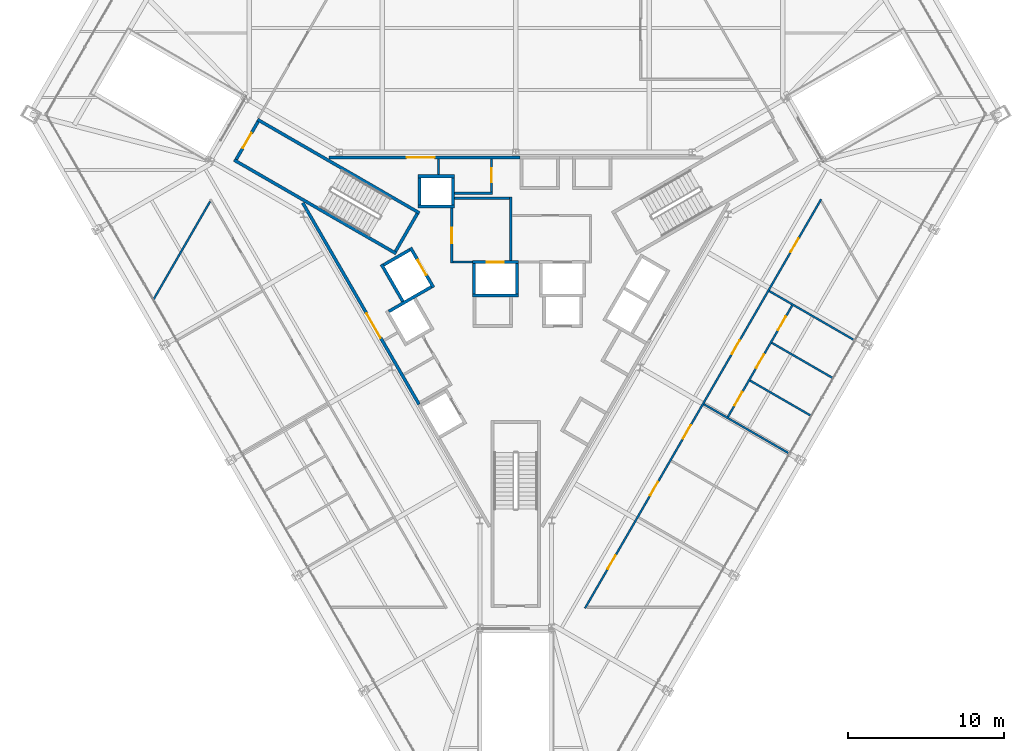
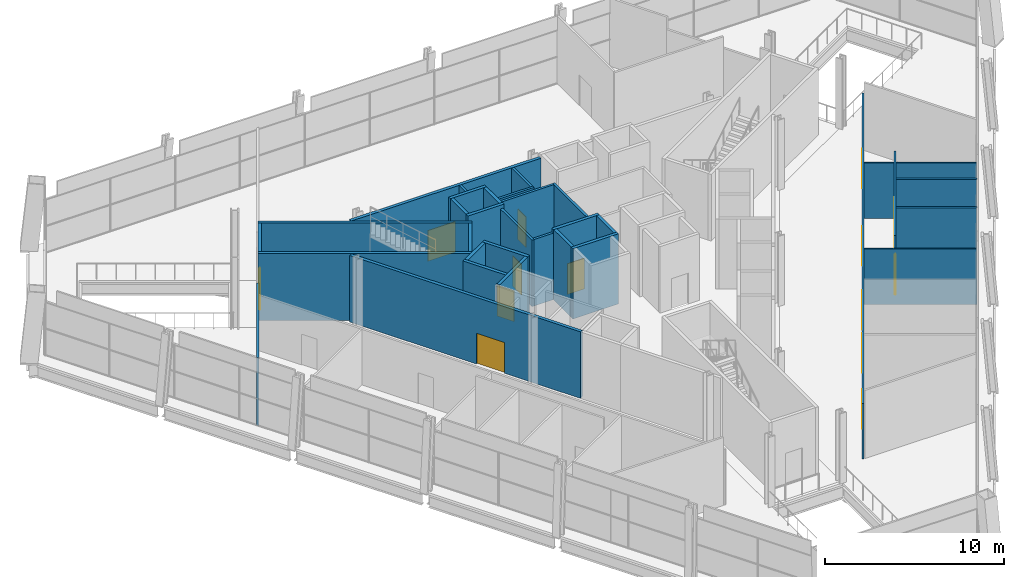
# One storey, part 14 of 18: 32 walls, 15 doors, 15 openings.
"""IFC4 building model written with IfcOpenShell, lengths in metres."""

from ifc_helpers import new_model, si_unit, direction, frame, frame_2d, origin, place, context, subcontext, project, spatial, rectangle, extrude, material, layer, layer_set, type_object, element, fill, save


model = new_model("IFC4")

# Units and contexts
model_context = context("Model", 3, precision=1e-05, world=origin(), true_north=direction((0.0, 1.0)))
body_context = subcontext(model_context, "Body", "Model", "MODEL_VIEW")
ifc_project = project(units=[si_unit("LENGTHUNIT", "METRE"), si_unit("AREAUNIT", "SQUARE_METRE"), si_unit("VOLUMEUNIT", "CUBIC_METRE"), si_unit("PLANEANGLEUNIT", "RADIAN"), si_unit("MASSUNIT", "GRAM", prefix="KILO")], contexts=[model_context])

# Site, building, storey
site_placement = place(None, origin())
site = spatial("IfcSite", under=ifc_project, at=site_placement, CompositionType="ELEMENT")
building_placement = place(site_placement, origin())
building = spatial("IfcBuilding", under=site, at=building_placement, Name="Verrane Prism Tower", CompositionType="ELEMENT")
storey_placement = place(building_placement, frame((0.0, 0.0, 32.0)))
storey = spatial("IfcBuildingStorey", under=building, at=storey_placement, Name="L05", CompositionType="ELEMENT", Elevation=32.0)

# Wall
ifc_material_1 = material(Name="Gypsum board partition", Category="other")
ifc_layer_1 = layer(ifc_material_1, 0.125)
ifc_layer_set_1 = layer_set([ifc_layer_1], Name="BW-125 plumbing wall")
wall_type_1 = type_object("IfcWallType", Name="BW-125 plumbing wall", PredefinedType="PARTITIONING", material=ifc_layer_set_1)
wall_1_placement = place(storey_placement, frame((12.066162109375, -6.96630859375, 0.0), z_axis=(0.0, 0.0, 1.0), x_axis=(0.866003371142, -0.500038159714, 0.0)))
element("IfcWall", 1, at=wall_1_placement, inside=storey, type_object=wall_type_1, Name="Plumbing wall 018", PredefinedType="PARTITIONING", context=body_context, shape_type="SweptSolid", body=[
    extrude(rectangle(XDim=6.3369140625, YDim=0.125, at=frame_2d((3.16845703125, 0.0))), origin(), (0.0, 0.0, 1.0), 3.79296875),
])

# Wall, openings, doors
wall_2_placement = place(storey_placement, frame((17.730712890625, -0.629150390625, 0.0), z_axis=(0.0, 0.0, 1.0), x_axis=(-0.499948523739, -0.866055121578, 0.0)))
wall_2 = element("IfcWall", 2, at=wall_2_placement, inside=storey, type_object=wall_type_1, Name="Plumbing wall 019", PredefinedType="PARTITIONING", context=body_context, shape_type="SweptSolid", body=[
    extrude(rectangle(XDim=8.257568359375, YDim=0.125, at=frame_2d((4.12890625, 0.0))), origin(), (0.0, 0.0, 1.0), 4.639892578125),
])
opening_1_placement = place(wall_2_placement, frame((6.42041015625, 0.0, 0.0)))
opening_1 = element("IfcOpeningElement", 3, at=opening_1_placement, cuts=wall_2, Name="Opening D05012", PredefinedType="OPENING", context=body_context, shape_type="SweptSolid", body=[
    extrude(rectangle(XDim=1.0, YDim=2.10009765625, at=frame_2d((0.5, 1.050048828125))), frame((0.0, 0.072509765625, 0.0), z_axis=(0.0, -1.0, 0.0), x_axis=(1.0, 0.0, 0.0)), (0.0, 0.0, 1.0), 0.14501953125),
])
opening_2_placement = place(wall_2_placement, frame((3.626220703125, 0.0, 0.0)))
opening_2 = element("IfcOpeningElement", 4, at=opening_2_placement, cuts=wall_2, Name="Opening D05013", PredefinedType="OPENING", context=body_context, shape_type="SweptSolid", body=[
    extrude(rectangle(XDim=1.0, YDim=2.10009765625, at=frame_2d((0.5, 1.050048828125))), frame((0.0, 0.072509765625, 0.0), z_axis=(0.0, -1.0, 0.0), x_axis=(1.0, 0.0, 0.0)), (0.0, 0.0, 1.0), 0.14501953125),
])
opening_3_placement = place(wall_2_placement, frame((0.831298828125, 0.0, 0.0)))
opening_3 = element("IfcOpeningElement", 5, at=opening_3_placement, cuts=wall_2, Name="Opening D05014", PredefinedType="OPENING", context=body_context, shape_type="SweptSolid", body=[
    extrude(rectangle(XDim=1.0, YDim=2.10009765625, at=frame_2d((0.5, 1.050048828125))), frame((0.0, 0.072509765625, 0.0), z_axis=(0.0, -1.0, 0.0), x_axis=(1.0, 0.0, 0.0)), (0.0, 0.0, 1.0), 0.14501953125),
])
ifc_material_2 = material(Name="Timber veneered door leaf", Category="wood")
door_type_1 = type_object("IfcDoorType", Name="DR-1000x2100 single leaf room", OperationType="NOTDEFINED", PredefinedType="DOOR", material=ifc_material_2)
door_1_placement = place(opening_1_placement, origin())
door_1 = element("IfcDoor", 6, at=door_1_placement, inside=storey, type_object=door_type_1, Name="Door Men's WC 05SE", OperationType="SINGLE_SWING_LEFT", OverallHeight=2.10009765625, OverallWidth=1.0, PredefinedType="DOOR", context=body_context, shape_type="SweptSolid", body=[
    extrude(rectangle(XDim=1.0, YDim=2.10009765625, at=frame_2d((0.5, 1.050048828125))), frame((0.0, 0.02490234375, 0.0), z_axis=(0.0, -1.0, 0.0), x_axis=(1.0, 0.0, 0.0)), (0.0, 0.0, 1.0), 0.050048828125),
])
fill(opening_1, door_1)
door_2_placement = place(opening_2_placement, origin())
door_2 = element("IfcDoor", 7, at=door_2_placement, inside=storey, type_object=door_type_1, Name="Door Women's WC 05SE", OperationType="SINGLE_SWING_RIGHT", OverallHeight=2.10009765625, OverallWidth=1.0, PredefinedType="DOOR", context=body_context, shape_type="SweptSolid", body=[
    extrude(rectangle(XDim=1.0, YDim=2.10009765625, at=frame_2d((0.5, 1.050048828125))), frame((0.0, 0.02490234375, 0.0), z_axis=(0.0, -1.0, 0.0), x_axis=(1.0, 0.0, 0.0)), (0.0, 0.0, 1.0), 0.050048828125),
])
fill(opening_2, door_2)
door_3_placement = place(opening_3_placement, origin())
door_3 = element("IfcDoor", 8, at=door_3_placement, inside=storey, type_object=door_type_1, Name="Door Accessible WC 05SE", OperationType="SINGLE_SWING_LEFT", OverallHeight=2.10009765625, OverallWidth=1.0, PredefinedType="DOOR", context=body_context, shape_type="SweptSolid", body=[
    extrude(rectangle(XDim=1.0, YDim=2.10009765625, at=frame_2d((0.5, 1.050048828125))), frame((0.0, 0.02490234375, 0.0), z_axis=(0.0, -1.0, 0.0), x_axis=(1.0, 0.0, 0.0)), (0.0, 0.0, 1.0), 0.050048828125),
])
fill(opening_3, door_3)

# Walls
wall_3_placement = place(storey_placement, frame((15.022216796875, -5.4462890625, 0.0), z_axis=(0.0, 0.0, 1.0), x_axis=(0.866026101152, -0.499998792122, 0.0)))
element("IfcWall", 9, at=wall_3_placement, inside=storey, type_object=wall_type_1, Name="Plumbing wall 020", PredefinedType="PARTITIONING", context=body_context, shape_type="SweptSolid", body=[
    extrude(rectangle(XDim=4.53759765625, YDim=0.125, at=frame_2d((2.268798828125, 0.0))), origin(), (0.0, 0.0, 1.0), 4.639892578125),
])
wall_4_placement = place(storey_placement, frame((16.258056640625, 0.293701171875, 0.0), z_axis=(0.0, 0.0, 1.0), x_axis=(0.866013003808, -0.500021476775, 0.0)))
element("IfcWall", 10, at=wall_4_placement, inside=storey, type_object=wall_type_1, Name="Plumbing wall 021", PredefinedType="PARTITIONING", context=body_context, shape_type="SweptSolid", body=[
    extrude(rectangle(XDim=6.337158203125, YDim=0.125, at=frame_2d((3.16845703125, 0.0))), origin(), (0.0, 0.0, 1.0), 3.79296875),
])
wall_5_placement = place(storey_placement, frame((16.419189453125, -3.0263671875, 0.0), z_axis=(0.0, 0.0, 1.0), x_axis=(0.866062846671, -0.499935141409, 0.0)))
element("IfcWall", 11, at=wall_5_placement, inside=storey, type_object=wall_type_1, Name="Plumbing wall 022", PredefinedType="PARTITIONING", context=body_context, shape_type="SweptSolid", body=[
    extrude(rectangle(XDim=4.53759765625, YDim=0.125, at=frame_2d((2.268798828125, 0.0))), origin(), (0.0, 0.0, 1.0), 4.639892578125),
])
ifc_material_3 = material(Name="Gypsum board partition", Category="other")
ifc_layer_2 = layer(ifc_material_3, 0.125)
ifc_layer_set_2 = layer_set([ifc_layer_2], Name="BW-125 shopfront wall 1 h")
wall_type_2 = type_object("IfcWallType", Name="BW-125 shopfront wall 1 h", PredefinedType="PARTITIONING", material=ifc_layer_set_2)
wall_6_placement = place(storey_placement, frame((-23.25, -0.27001953125, 0.0), z_axis=(0.0, 0.0, 1.0), x_axis=(0.500002873931, 0.866023744513, 0.0)))
element("IfcWall", 12, at=wall_6_placement, inside=storey, type_object=wall_type_2, Name="Shopfront wall 001", PredefinedType="PARTITIONING", context=body_context, shape_type="SweptSolid", body=[
    extrude(rectangle(XDim=7.28515625, YDim=0.125, at=frame_2d((3.642578125, 0.0))), origin(), (0.0, 0.0, 1.0), 4.639892578125),
])

# Wall, openings, doors
wall_7_placement = place(storey_placement, frame((19.586181640625, 6.18408203125, 0.0), z_axis=(0.0, 0.0, 1.0), x_axis=(-0.499994028088, -0.866028851642, 0.0)))
wall_7 = element("IfcWall", 13, at=wall_7_placement, inside=storey, type_object=wall_type_2, Name="Shopfront wall 012", PredefinedType="PARTITIONING", context=body_context, shape_type="SweptSolid", body=[
    extrude(rectangle(XDim=30.297119140625, YDim=0.125, at=frame_2d((15.1484375, 0.0))), origin(), (0.0, 0.0, 1.0), 3.79296875),
])
opening_4_placement = place(wall_7_placement, frame((26.384765625, 0.0, 0.0)))
opening_4 = element("IfcOpeningElement", 14, at=opening_4_placement, cuts=wall_7, Name="Opening D05008", PredefinedType="OPENING", context=body_context, shape_type="SweptSolid", body=[
    extrude(rectangle(XDim=1.0, YDim=2.10009765625, at=frame_2d((0.5, 1.050048828125))), frame((0.0, 0.072509765625, 0.0), z_axis=(0.0, -1.0, 0.0), x_axis=(1.0, 0.0, 0.0)), (0.0, 0.0, 1.0), 0.14501953125),
])
opening_5_placement = place(wall_7_placement, frame((20.931640625, 0.0, 0.0)))
opening_5 = element("IfcOpeningElement", 15, at=opening_5_placement, cuts=wall_7, Name="Opening D05009", PredefinedType="OPENING", context=body_context, shape_type="SweptSolid", body=[
    extrude(rectangle(XDim=1.0, YDim=2.10009765625, at=frame_2d((0.5, 1.050048828125))), frame((0.0, 0.072509765625, 0.0), z_axis=(0.0, -1.0, 0.0), x_axis=(1.0, 0.0, 0.0)), (0.0, 0.0, 1.0), 0.14501953125),
])
opening_6_placement = place(wall_7_placement, frame((16.74072265625, 0.0, 0.0)))
opening_6 = element("IfcOpeningElement", 16, at=opening_6_placement, cuts=wall_7, Name="Opening D05010", PredefinedType="OPENING", context=body_context, shape_type="SweptSolid", body=[
    extrude(rectangle(XDim=1.0, YDim=2.10009765625, at=frame_2d((0.5, 1.050048828125))), frame((0.0, 0.072509765625, 0.0), z_axis=(0.0, -1.0, 0.0), x_axis=(1.0, 0.0, 0.0)), (0.0, 0.0, 1.0), 0.14501953125),
])
opening_7_placement = place(wall_7_placement, frame((10.44873046875, 0.0, 0.0)))
opening_7 = element("IfcOpeningElement", 17, at=opening_7_placement, cuts=wall_7, Name="Opening D05011", PredefinedType="OPENING", context=body_context, shape_type="SweptSolid", body=[
    extrude(rectangle(XDim=1.0, YDim=2.10009765625, at=frame_2d((0.5, 1.050048828125))), frame((0.0, 0.072509765625, 0.0), z_axis=(0.0, -1.0, 0.0), x_axis=(1.0, 0.0, 0.0)), (0.0, 0.0, 1.0), 0.14501953125),
])
opening_8_placement = place(wall_7_placement, frame((2.915771484375, 0.0, 0.0)))
opening_8 = element("IfcOpeningElement", 18, at=opening_8_placement, cuts=wall_7, Name="Opening D05015", PredefinedType="OPENING", context=body_context, shape_type="SweptSolid", body=[
    extrude(rectangle(XDim=1.0, YDim=2.10009765625, at=frame_2d((0.5, 1.050048828125))), frame((0.0, 0.072509765625, 0.0), z_axis=(0.0, -1.0, 0.0), x_axis=(1.0, 0.0, 0.0)), (0.0, 0.0, 1.0), 0.14501953125),
])
ifc_material_4 = material(Name="Timber veneered door leaf", Category="wood")
door_type_2 = type_object("IfcDoorType", Name="DR-1000x2100 FD20 single leaf shopfront", OperationType="NOTDEFINED", PredefinedType="DOOR", material=ifc_material_4)
door_4_placement = place(opening_4_placement, origin())
door_4 = element("IfcDoor", 19, at=door_4_placement, inside=storey, type_object=door_type_2, Name="Door Meeting Room 0504", OperationType="SINGLE_SWING_LEFT", OverallHeight=2.10009765625, OverallWidth=1.0, PredefinedType="DOOR", context=body_context, shape_type="SweptSolid", body=[
    extrude(rectangle(XDim=1.0, YDim=2.10009765625, at=frame_2d((0.5, 1.050048828125))), frame((0.0, 0.02490234375, 0.0), z_axis=(0.0, -1.0, 0.0), x_axis=(1.0, 0.0, 0.0)), (0.0, 0.0, 1.0), 0.050048828125),
])
fill(opening_4, door_4)
door_5_placement = place(opening_5_placement, origin())
door_5 = element("IfcDoor", 20, at=door_5_placement, inside=storey, type_object=door_type_2, Name="Door Meeting Room 0505", OperationType="SINGLE_SWING_RIGHT", OverallHeight=2.10009765625, OverallWidth=1.0, PredefinedType="DOOR", context=body_context, shape_type="SweptSolid", body=[
    extrude(rectangle(XDim=1.0, YDim=2.10009765625, at=frame_2d((0.5, 1.050048828125))), frame((0.0, 0.02490234375, 0.0), z_axis=(0.0, -1.0, 0.0), x_axis=(1.0, 0.0, 0.0)), (0.0, 0.0, 1.0), 0.050048828125),
])
fill(opening_5, door_5)
door_6_placement = place(opening_6_placement, origin())
door_6 = element("IfcDoor", 21, at=door_6_placement, inside=storey, type_object=door_type_2, Name="Door Store Room 0506", OperationType="SINGLE_SWING_LEFT", OverallHeight=2.10009765625, OverallWidth=1.0, PredefinedType="DOOR", context=body_context, shape_type="SweptSolid", body=[
    extrude(rectangle(XDim=1.0, YDim=2.10009765625, at=frame_2d((0.5, 1.050048828125))), frame((0.0, 0.02490234375, 0.0), z_axis=(0.0, -1.0, 0.0), x_axis=(1.0, 0.0, 0.0)), (0.0, 0.0, 1.0), 0.050048828125),
])
fill(opening_6, door_6)
door_7_placement = place(opening_8_placement, origin())
door_7 = element("IfcDoor", 22, at=door_7_placement, inside=storey, type_object=door_type_2, Name="Door Meeting Room 0507", OperationType="SINGLE_SWING_RIGHT", OverallHeight=2.10009765625, OverallWidth=1.0, PredefinedType="DOOR", context=body_context, shape_type="SweptSolid", body=[
    extrude(rectangle(XDim=1.0, YDim=2.10009765625, at=frame_2d((0.5, 1.050048828125))), frame((0.0, 0.02490234375, 0.0), z_axis=(0.0, -1.0, 0.0), x_axis=(1.0, 0.0, 0.0)), (0.0, 0.0, 1.0), 0.050048828125),
])
fill(opening_8, door_7)
ifc_material_5 = material(Name="Timber veneered door leaf", Category="wood")
door_type_3 = type_object("IfcDoorType", Name="DR-1000x2100 FD20 single leaf wc lobby", OperationType="NOTDEFINED", PredefinedType="DOOR", material=ifc_material_5)
door_8_placement = place(opening_7_placement, origin())
door_8 = element("IfcDoor", 23, at=door_8_placement, inside=storey, type_object=door_type_3, Name="Door WC Lobby 05SE", OperationType="SINGLE_SWING_RIGHT", OverallHeight=2.10009765625, OverallWidth=1.0, PredefinedType="DOOR", context=body_context, shape_type="SweptSolid", body=[
    extrude(rectangle(XDim=1.0, YDim=2.10009765625, at=frame_2d((0.5, 1.050048828125))), frame((0.0, 0.02490234375, 0.0), z_axis=(0.0, -1.0, 0.0), x_axis=(1.0, 0.0, 0.0)), (0.0, 0.0, 1.0), 0.050048828125),
])
fill(opening_7, door_8)

# Wall, opening, door
ifc_material_6 = material(Name="Gypsum board partition", Category="other")
ifc_layer_3 = layer(ifc_material_6, 0.199951171875)
ifc_layer_set_3 = layer_set([ifc_layer_3], Name="CW-200 core boundary wall 2 h")
wall_type_3 = type_object("IfcWallType", Name="CW-200 core boundary wall 2 h", PredefinedType="PARTITIONING", material=ifc_layer_set_3)
wall_8_placement = place(storey_placement, frame((-13.666015625, 5.950439453125, 0.0), z_axis=(0.0, 0.0, 1.0), x_axis=(0.499985890914, -0.866033549516, 0.0)))
wall_8 = element("IfcWall", 24, at=wall_8_placement, inside=storey, type_object=wall_type_3, Name="Core boundary wall CW3-001", PredefinedType="PARTITIONING", context=body_context, shape_type="SweptSolid", body=[
    extrude(rectangle(XDim=14.92138671875, YDim=0.199951171875, at=frame_2d((7.460693359375, 0.0))), origin(), (0.0, 0.0, 1.0), 4.550048828125),
])
opening_9_placement = place(wall_8_placement, frame((8.196044921875, 0.0, 0.0)))
opening_9 = element("IfcOpeningElement", 25, at=opening_9_placement, cuts=wall_8, Name="Opening D05508", PredefinedType="OPENING", context=body_context, shape_type="SweptSolid", body=[
    extrude(rectangle(XDim=1.800048828125, YDim=2.10009765625, at=frame_2d((0.89990234375, 1.050048828125))), frame((0.0, 0.10986328125, 0.0), z_axis=(0.0, -1.0, 0.0), x_axis=(1.0, 0.0, 0.0)), (0.0, 0.0, 1.0), 0.219970703125),
])
ifc_material_7 = material(Name="Timber veneered door leaf", Category="wood")
door_type_4 = type_object("IfcDoorType", Name="DR-1800x2100 FD60 double leaf lift lobby", OperationType="NOTDEFINED", PredefinedType="DOOR", material=ifc_material_7)
door_9_placement = place(opening_9_placement, origin())
door_9 = element("IfcDoor", 26, at=door_9_placement, inside=storey, type_object=door_type_4, Name="Lift lobby door D05508", OperationType="DOUBLE_DOOR_SINGLE_SWING", OverallHeight=2.10009765625, OverallWidth=1.800048828125, PredefinedType="DOOR", context=body_context, shape_type="SweptSolid", body=[
    extrude(rectangle(XDim=1.800048828125, YDim=2.10009765625, at=frame_2d((0.89990234375, 1.050048828125))), frame((0.0, 0.02490234375, 0.0), z_axis=(0.0, -1.0, 0.0), x_axis=(1.0, 0.0, 0.0)), (0.0, 0.0, 1.0), 0.050048828125),
])
fill(opening_9, door_9)

wall_9_placement = place(storey_placement, frame((0.262939453125, 8.860107421875, 0.0), z_axis=(0.0, 0.0, 1.0), x_axis=(-1.0, 0.0, 0.0)))
wall_9 = element("IfcWall", 27, at=wall_9_placement, inside=storey, type_object=wall_type_3, Name="Core boundary wall CW3-002", PredefinedType="PARTITIONING", context=body_context, shape_type="SweptSolid", body=[
    extrude(rectangle(XDim=12.25390625, YDim=0.199951171875, at=frame_2d((6.126953125, 0.0))), origin(), (0.0, 0.0, 1.0), 4.550048828125),
])
opening_10_placement = place(wall_9_placement, frame((5.472900390625, 0.0, 0.0)))
opening_10 = element("IfcOpeningElement", 28, at=opening_10_placement, cuts=wall_9, Name="Opening D05509", PredefinedType="OPENING", context=body_context, shape_type="SweptSolid", body=[
    extrude(rectangle(XDim=1.800048828125, YDim=2.10009765625, at=frame_2d((0.89990234375, 1.050048828125))), frame((0.0, 0.10986328125, 0.0), z_axis=(0.0, -1.0, 0.0), x_axis=(1.0, 0.0, 0.0)), (0.0, 0.0, 1.0), 0.219970703125),
])
door_10_placement = place(opening_10_placement, origin())
door_10 = element("IfcDoor", 29, at=door_10_placement, inside=storey, type_object=door_type_4, Name="Lift lobby door D05509", OperationType="DOUBLE_DOOR_SINGLE_SWING", OverallHeight=2.10009765625, OverallWidth=1.800048828125, PredefinedType="DOOR", context=body_context, shape_type="SweptSolid", body=[
    extrude(rectangle(XDim=1.800048828125, YDim=2.10009765625, at=frame_2d((0.89990234375, 1.050048828125))), frame((0.0, 0.02490234375, 0.0), z_axis=(0.0, -1.0, 0.0), x_axis=(1.0, 0.0, 0.0)), (0.0, 0.0, 1.0), 0.050048828125),
])
fill(opening_10, door_10)

ifc_material_8 = material(Name="Concrete C40/50", Category="concrete")
ifc_layer_4 = layer(ifc_material_8, 0.199951171875)
ifc_layer_set_4 = layer_set([ifc_layer_4], Name="CW-200 stair core wall concrete C40/50 3 h")
wall_type_4 = type_object("IfcWallType", Name="CW-200 stair core wall concrete C40/50 3 h", PredefinedType="PARTITIONING", material=ifc_layer_set_4)
wall_10_placement = place(storey_placement, frame((-16.533935546875, 11.162353515625, 0.0), z_axis=(0.0, 0.0, 1.0), x_axis=(-0.49998411664, -0.866034573852, 0.0)))
wall_10 = element("IfcWall", 30, at=wall_10_placement, inside=storey, type_object=wall_type_4, Name="Stair 2 enclosure wall", PredefinedType="PARTITIONING", context=body_context, shape_type="SweptSolid", body=[
    extrude(rectangle(XDim=2.7998046875, YDim=0.199951171875, at=frame_2d((1.39990234375, 0.0))), origin(), (0.0, 0.0, 1.0), 4.550048828125),
])
opening_11_placement = place(wall_10_placement, frame((0.849853515625, 0.0, 0.0)))
opening_11 = element("IfcOpeningElement", 31, at=opening_11_placement, cuts=wall_10, Name="Opening D05501", PredefinedType="OPENING", context=body_context, shape_type="SweptSolid", body=[
    extrude(rectangle(XDim=1.10009765625, YDim=2.10009765625, at=frame_2d((0.550048828125, 1.050048828125))), frame((0.0, 0.10986328125, 0.0), z_axis=(0.0, -1.0, 0.0), x_axis=(1.0, 0.0, 0.0)), (0.0, 0.0, 1.0), 0.219970703125),
])
ifc_material_9 = material(Name="Timber veneered door leaf", Category="wood")
door_type_5 = type_object("IfcDoorType", Name="DR-1100x2100 FD90 single leaf stair", OperationType="NOTDEFINED", PredefinedType="DOOR", material=ifc_material_9)
door_11_placement = place(opening_11_placement, origin())
door_11 = element("IfcDoor", 32, at=door_11_placement, inside=storey, type_object=door_type_5, Name="Stair 2 door", OperationType="SINGLE_SWING_RIGHT", OverallHeight=2.10009765625, OverallWidth=1.10009765625, PredefinedType="DOOR", context=body_context, shape_type="SweptSolid", body=[
    extrude(rectangle(XDim=1.10009765625, YDim=2.10009765625, at=frame_2d((0.550048828125, 1.050048828125))), frame((0.0, 0.02490234375, 0.0), z_axis=(0.0, -1.0, 0.0), x_axis=(1.0, 0.0, 0.0)), (0.0, 0.0, 1.0), 0.050048828125),
])
fill(opening_11, door_11)

# Walls
for number, where, z_axis, x_axis, name in (
    (33, (-7.67822265625, 2.700927734375, 0.0), (0.0, 0.0, 1.0), (-0.866026010844, 0.49999894854, 0.0), "Stair 2 enclosure wall"),
    (34, (-6.17822265625, 5.299072265625, 0.0), (0.0, 0.0, 1.0), (-0.866026010844, 0.49999894854, 0.0), "Stair 2 enclosure wall"),
):
    element("IfcWall", number, at=place(storey_placement, frame(where, z_axis=z_axis, x_axis=x_axis)), inside=storey, type_object=wall_type_4, Name=name, PredefinedType="PARTITIONING", context=body_context, shape_type="SweptSolid", body=[
        extrude(rectangle(XDim=12.0, YDim=0.199951171875, at=frame_2d((6.0, 0.0))), origin(), (0.0, 0.0, 1.0), 4.550048828125),
    ])
wall_11_placement = place(storey_placement, frame((-6.314697265625, 5.262451171875, 0.0), z_axis=(0.0, 0.0, 1.0), x_axis=(-0.500049511043, -0.865996816683, 0.0)))
element("IfcWall", 35, at=wall_11_placement, inside=storey, type_object=wall_type_4, Name="Stair 2 enclosure wall", PredefinedType="PARTITIONING", context=body_context, shape_type="SweptSolid", body=[
    extrude(rectangle(XDim=2.800048828125, YDim=0.199951171875, at=frame_2d((1.39990234375, 0.0))), origin(), (0.0, 0.0, 1.0), 4.550048828125),
])
ifc_material_10 = material(Name="Gypsum board shaft wall assembly", Category="other")
ifc_layer_5 = layer(ifc_material_10, 0.199951171875)
ifc_layer_set_5 = layer_set([ifc_layer_5], Name="HW-200 lift shaft wall 2 h")
wall_type_5 = type_object("IfcWallType", Name="HW-200 lift shaft wall 2 h", PredefinedType="PARTITIONING", material=ifc_layer_set_5)
wall_12_placement = place(storey_placement, frame((-2.784912109375, 0.0, 0.0), z_axis=(0.0, 0.0, 1.0), x_axis=(1.0, 0.0, 0.0)))
element("IfcWall", 36, at=wall_12_placement, inside=storey, type_object=wall_type_5, Name="Lift shaft wall", PredefinedType="PARTITIONING", context=body_context, shape_type="SweptSolid", body=[
    extrude(rectangle(XDim=2.949951171875, YDim=0.199951171875, at=frame_2d((1.47509765625, 0.0))), origin(), (0.0, 0.0, 1.0), 4.800048828125),
])

# Wall, opening, door
wall_13_placement = place(storey_placement, frame((-2.784912109375, 2.14990234375, 0.0), z_axis=(0.0, 0.0, 1.0), x_axis=(1.0, 0.0, 0.0)))
wall_13 = element("IfcWall", 37, at=wall_13_placement, inside=storey, type_object=wall_type_5, Name="Lift shaft wall", PredefinedType="PARTITIONING", context=body_context, shape_type="SweptSolid", body=[
    extrude(rectangle(XDim=2.949951171875, YDim=0.199951171875, at=frame_2d((1.47509765625, 0.0))), origin(), (0.0, 0.0, 1.0), 4.800048828125),
])
opening_12_placement = place(wall_13_placement, frame((0.925048828125, 0.0, 0.0)))
opening_12 = element("IfcOpeningElement", 38, at=opening_12_placement, cuts=wall_13, Name="Opening D05503", PredefinedType="OPENING", context=body_context, shape_type="SweptSolid", body=[
    extrude(rectangle(XDim=1.10009765625, YDim=2.10009765625, at=frame_2d((0.550048828125, 1.050048828125))), frame((0.0, 0.10986328125, 0.0), z_axis=(0.0, -1.0, 0.0), x_axis=(1.0, 0.0, 0.0)), (0.0, 0.0, 1.0), 0.219970703125),
])
ifc_material_11 = material(Name="Stainless steel sliding landing door", Category="steel")
door_type_6 = type_object("IfcDoorType", Name="LD-1100x2100 lift landing door FD90 sliding", OperationType="NOTDEFINED", PredefinedType="DOOR", material=ifc_material_11)
door_12_placement = place(opening_12_placement, origin())
door_12 = element("IfcDoor", 39, at=door_12_placement, inside=storey, type_object=door_type_6, Name="Fire service lift 1 landing door", OperationType="SLIDING_TO_LEFT", OverallHeight=2.10009765625, OverallWidth=1.10009765625, PredefinedType="DOOR", context=body_context, shape_type="SweptSolid", body=[
    extrude(rectangle(XDim=1.10009765625, YDim=2.10009765625, at=frame_2d((0.550048828125, 1.050048828125))), frame((0.0, 0.02490234375, 0.0), z_axis=(0.0, -1.0, 0.0), x_axis=(1.0, 0.0, 0.0)), (0.0, 0.0, 1.0), 0.050048828125),
])
fill(opening_12, door_12)

# Walls
for number, where, z_axis, x_axis, name in (
    (40, (-6.284912109375, 5.7099609375, 0.0), (0.0, 0.0, 1.0), (1.0, 0.0, 0.0), "Lift shaft wall"),
    (41, (-6.284912109375, 7.659912109375, 0.0), (0.0, 0.0, 1.0), (1.0, 0.0, 0.0), "Lift shaft wall"),
):
    element("IfcWall", number, at=place(storey_placement, frame(where, z_axis=z_axis, x_axis=x_axis)), inside=storey, type_object=wall_type_5, Name=name, PredefinedType="PARTITIONING", context=body_context, shape_type="SweptSolid", body=[
        extrude(rectangle(XDim=2.349853515625, YDim=0.199951171875, at=frame_2d((1.1748046875, 0.0))), origin(), (0.0, 0.0, 1.0), 4.800048828125),
    ])
wall_14_placement = place(storey_placement, frame((-8.14453125, -1.012939453125, 0.0), z_axis=(0.0, 0.0, 1.0), x_axis=(0.866016494683, 0.500015430699, 0.0)))
element("IfcWall", 42, at=wall_14_placement, inside=storey, type_object=wall_type_5, Name="Lift shaft wall", PredefinedType="PARTITIONING", context=body_context, shape_type="SweptSolid", body=[
    extrude(rectangle(XDim=3.14990234375, YDim=0.199951171875, at=frame_2d((1.574951171875, 0.0))), origin(), (0.0, 0.0, 1.0), 4.800048828125),
])
for number, where, z_axis, x_axis, name in (
    (43, (-8.48046875, 1.968505859375, 0.0), (0.0, 0.0, 1.0), (0.866000020948, 0.500043961785, 0.0), "Lift shaft wall"),
    (44, (0.06494140625, 0.10009765625, 0.0), (0.0, 0.0, 1.0), (0.0, 1.0, 0.0), "Lift shaft wall"),
    (45, (-2.68505859375, 0.10009765625, 0.0), (0.0, 0.0, 1.0), (0.0, 1.0, 0.0), "Lift shaft wall"),
):
    element("IfcWall", number, at=place(storey_placement, frame(where, z_axis=z_axis, x_axis=x_axis)), inside=storey, type_object=wall_type_5, Name=name, PredefinedType="PARTITIONING", context=body_context, shape_type="SweptSolid", body=[
        extrude(rectangle(XDim=1.949951171875, YDim=0.199951171875, at=frame_2d((0.97509765625, 0.0))), origin(), (0.0, 0.0, 1.0), 4.800048828125),
    ])
for number, where, z_axis, x_axis, name in (
    (46, (-4.034912109375, 5.81005859375, 0.0), (0.0, 0.0, 1.0), (0.0, 1.0, 0.0), "Lift shaft wall"),
    (47, (-6.18505859375, 5.81005859375, 0.0), (0.0, 0.0, 1.0), (0.0, 1.0, 0.0), "Lift shaft wall"),
):
    element("IfcWall", number, at=place(storey_placement, frame(where, z_axis=z_axis, x_axis=x_axis)), inside=storey, type_object=wall_type_5, Name=name, PredefinedType="PARTITIONING", context=body_context, shape_type="SweptSolid", body=[
        extrude(rectangle(XDim=1.75, YDim=0.199951171875, at=frame_2d((0.875, 0.0))), origin(), (0.0, 0.0, 1.0), 4.800048828125),
    ])

# Wall, opening, door
wall_15_placement = place(storey_placement, frame((-5.280029296875, 0.525390625, 0.0), z_axis=(0.0, 0.0, 1.0), x_axis=(-0.500037662692, 0.866003658127, 0.0)))
wall_15 = element("IfcWall", 48, at=wall_15_placement, inside=storey, type_object=wall_type_5, Name="Lift shaft wall", PredefinedType="PARTITIONING", context=body_context, shape_type="SweptSolid", body=[
    extrude(rectangle(XDim=2.949951171875, YDim=0.199951171875, at=frame_2d((1.47509765625, 0.0))), origin(), (0.0, 0.0, 1.0), 4.800048828125),
])
opening_13_placement = place(wall_15_placement, frame((0.925048828125, 0.0, 0.0)))
opening_13 = element("IfcOpeningElement", 49, at=opening_13_placement, cuts=wall_15, Name="Opening D05505", PredefinedType="OPENING", context=body_context, shape_type="SweptSolid", body=[
    extrude(rectangle(XDim=1.10009765625, YDim=2.10009765625, at=frame_2d((0.550048828125, 1.050048828125))), frame((0.0, 0.10986328125, 0.0), z_axis=(0.0, -1.0, 0.0), x_axis=(1.0, 0.0, 0.0)), (0.0, 0.0, 1.0), 0.219970703125),
])
door_13_placement = place(opening_13_placement, origin())
door_13 = element("IfcDoor", 50, at=door_13_placement, inside=storey, type_object=door_type_6, Name="Service lift 1 landing door", OperationType="SLIDING_TO_LEFT", OverallHeight=2.10009765625, OverallWidth=1.10009765625, PredefinedType="DOOR", context=body_context, shape_type="SweptSolid", body=[
    extrude(rectangle(XDim=1.10009765625, YDim=2.10009765625, at=frame_2d((0.550048828125, 1.050048828125))), frame((0.0, 0.02490234375, 0.0), z_axis=(0.0, -1.0, 0.0), x_axis=(1.0, 0.0, 0.0)), (0.0, 0.0, 1.0), 0.050048828125),
])
fill(opening_13, door_13)

# Wall
wall_16_placement = place(storey_placement, frame((-7.241943359375, -0.37646484375, 0.0), z_axis=(0.0, 0.0, 1.0), x_axis=(-0.499996545922, 0.866027397988, 0.0)))
element("IfcWall", 51, at=wall_16_placement, inside=storey, type_object=wall_type_5, Name="Lift shaft wall", PredefinedType="PARTITIONING", context=body_context, shape_type="SweptSolid", body=[
    extrude(rectangle(XDim=2.75, YDim=0.199951171875, at=frame_2d((1.375, 0.0))), origin(), (0.0, 0.0, 1.0), 4.800048828125),
])

# Wall, opening, door
ifc_material_12 = material(Name="Gypsum board partition", Category="other")
ifc_layer_6 = layer(ifc_material_12, 0.14990234375)
ifc_layer_set_6 = layer_set([ifc_layer_6], Name="LF-150 firefighting lobby wall 1 h")
wall_type_6 = type_object("IfcWallType", Name="LF-150 firefighting lobby wall 1 h", PredefinedType="PARTITIONING", material=ifc_layer_set_6)
wall_17_placement = place(storey_placement, frame((-4.10009765625, 2.0849609375, 0.0), z_axis=(0.0, 0.0, 1.0), x_axis=(0.0, 1.0, 0.0)))
wall_17 = element("IfcWall", 52, at=wall_17_placement, inside=storey, type_object=wall_type_6, Name="Firefighting lobby wall LF1-001", PredefinedType="PARTITIONING", context=body_context, shape_type="SweptSolid", body=[
    extrude(rectangle(XDim=3.52294921875, YDim=0.14990234375, at=frame_2d((1.761474609375, 0.0))), origin(), (0.0, 0.0, 1.0), 4.550048828125),
])
opening_14_placement = place(wall_17_placement, frame((1.27490234375, 0.0, 0.0)))
opening_14 = element("IfcOpeningElement", 53, at=opening_14_placement, cuts=wall_17, Name="Opening D05512", PredefinedType="OPENING", context=body_context, shape_type="SweptSolid", body=[
    extrude(rectangle(XDim=1.0, YDim=2.10009765625, at=frame_2d((0.5, 1.050048828125))), frame((0.0, 0.0849609375, 0.0), z_axis=(0.0, -1.0, 0.0), x_axis=(1.0, 0.0, 0.0)), (0.0, 0.0, 1.0), 0.169921875),
])
ifc_material_13 = material(Name="Timber veneered door leaf", Category="wood")
door_type_7 = type_object("IfcDoorType", Name="DR-1000x2100 FD60 single leaf firefighting lobby", OperationType="NOTDEFINED", PredefinedType="DOOR", material=ifc_material_13)
door_14_placement = place(opening_14_placement, origin())
door_14 = element("IfcDoor", 54, at=door_14_placement, inside=storey, type_object=door_type_7, Name="Firefighting lobby door D05512", OperationType="SINGLE_SWING_LEFT", OverallHeight=2.10009765625, OverallWidth=1.0, PredefinedType="DOOR", context=body_context, shape_type="SweptSolid", body=[
    extrude(rectangle(XDim=1.0, YDim=2.10009765625, at=frame_2d((0.5, 1.050048828125))), frame((0.0, 0.02490234375, 0.0), z_axis=(0.0, -1.0, 0.0), x_axis=(1.0, 0.0, 0.0)), (0.0, 0.0, 1.0), 0.050048828125),
])
fill(opening_14, door_14)

# Walls
wall_18_placement = place(storey_placement, frame((-4.02490234375, 2.159912109375, 0.0), z_axis=(0.0, 0.0, 1.0), x_axis=(1.0, 0.0, 0.0)))
element("IfcWall", 55, at=wall_18_placement, inside=storey, type_object=wall_type_6, Name="Firefighting lobby wall LF1-002", PredefinedType="PARTITIONING", context=body_context, shape_type="SweptSolid", body=[
    extrude(rectangle(XDim=1.23779296875, YDim=0.14990234375, at=frame_2d((0.618896484375, 0.0))), origin(), (0.0, 0.0, 1.0), 4.550048828125),
])
wall_19_placement = place(storey_placement, frame((-3.93310546875, 6.239990234375, 0.0), z_axis=(0.0, 0.0, 1.0), x_axis=(1.0, 0.0, 0.0)))
element("IfcWall", 56, at=wall_19_placement, inside=storey, type_object=wall_type_6, Name="Firefighting lobby wall LF1-003", PredefinedType="PARTITIONING", context=body_context, shape_type="SweptSolid", body=[
    extrude(rectangle(XDim=3.5380859375, YDim=0.14990234375, at=frame_2d((1.76904296875, 0.0))), origin(), (0.0, 0.0, 1.0), 4.550048828125),
])
wall_20_placement = place(storey_placement, frame((-0.320068359375, 2.251953125, 0.0), z_axis=(0.0, 0.0, 1.0), x_axis=(0.0, 1.0, 0.0)))
element("IfcWall", 57, at=wall_20_placement, inside=storey, type_object=wall_type_6, Name="Firefighting lobby wall LF1-004", PredefinedType="PARTITIONING", context=body_context, shape_type="SweptSolid", body=[
    extrude(rectangle(XDim=4.06298828125, YDim=0.14990234375, at=frame_2d((2.031494140625, 0.0))), origin(), (0.0, 0.0, 1.0), 4.550048828125),
])
ifc_material_14 = material(Name="Gypsum board partition", Category="other")
ifc_layer_7 = layer(ifc_material_14, 0.14990234375)
ifc_layer_set_7 = layer_set([ifc_layer_7], Name="RS-150 riser enclosure wall 1 h")
wall_type_7 = type_object("IfcWallType", Name="RS-150 riser enclosure wall 1 h", PredefinedType="PARTITIONING", material=ifc_layer_set_7)
wall_21_placement = place(storey_placement, frame((-4.9599609375, 7.761962890625, 0.0), z_axis=(0.0, 0.0, 1.0), x_axis=(0.0, 1.0, 0.0)))
element("IfcWall", 58, at=wall_21_placement, inside=storey, type_object=wall_type_7, Name="Riser wall RS3-005", PredefinedType="PARTITIONING", context=body_context, shape_type="SweptSolid", body=[
    extrude(rectangle(XDim=0.998046875, YDim=0.14990234375, at=frame_2d((0.4990234375, 0.0))), origin(), (0.0, 0.0, 1.0), 4.550048828125),
])
wall_22_placement = place(storey_placement, frame((-3.93310546875, 6.56005859375, 0.0), z_axis=(0.0, 0.0, 1.0), x_axis=(1.0, 0.0, 0.0)))
element("IfcWall", 59, at=wall_22_placement, inside=storey, type_object=wall_type_7, Name="Riser wall RS3-006", PredefinedType="PARTITIONING", context=body_context, shape_type="SweptSolid", body=[
    extrude(rectangle(XDim=2.447998046875, YDim=0.14990234375, at=frame_2d((1.22412109375, 0.0))), origin(), (0.0, 0.0, 1.0), 4.550048828125),
])

# Wall, opening, door
wall_23_placement = place(storey_placement, frame((-1.56005859375, 6.635009765625, 0.0), z_axis=(0.0, 0.0, 1.0), x_axis=(0.0, 1.0, 0.0)))
wall_23 = element("IfcWall", 60, at=wall_23_placement, inside=storey, type_object=wall_type_7, Name="Riser wall RS3-007", PredefinedType="PARTITIONING", context=body_context, shape_type="SweptSolid", body=[
    extrude(rectangle(XDim=2.125, YDim=0.14990234375, at=frame_2d((1.0625, 0.0))), origin(), (0.0, 0.0, 1.0), 4.550048828125),
])
opening_15_placement = place(wall_23_placement, frame((0.625, 0.0, 0.0)))
opening_15 = element("IfcOpeningElement", 61, at=opening_15_placement, cuts=wall_23, Name="Opening D05513", PredefinedType="OPENING", context=body_context, shape_type="SweptSolid", body=[
    extrude(rectangle(XDim=0.89990234375, YDim=2.10009765625, at=frame_2d((0.449951171875, 1.050048828125))), frame((0.0, 0.0849609375, 0.0), z_axis=(0.0, -1.0, 0.0), x_axis=(1.0, 0.0, 0.0)), (0.0, 0.0, 1.0), 0.169921875),
])
ifc_material_15 = material(Name="Timber veneered door leaf", Category="wood")
door_type_8 = type_object("IfcDoorType", Name="DR-900x2100 FD20 single leaf store", OperationType="NOTDEFINED", PredefinedType="DOOR", material=ifc_material_15)
door_15_placement = place(opening_15_placement, origin())
door_15 = element("IfcDoor", 62, at=door_15_placement, inside=storey, type_object=door_type_8, Name="Room door D05513", OperationType="SINGLE_SWING_RIGHT", OverallHeight=2.10009765625, OverallWidth=0.89990234375, PredefinedType="DOOR", context=body_context, shape_type="SweptSolid", body=[
    extrude(rectangle(XDim=0.89990234375, YDim=2.10009765625, at=frame_2d((0.449951171875, 1.050048828125))), frame((0.0, 0.02490234375, 0.0), z_axis=(0.0, -1.0, 0.0), x_axis=(1.0, 0.0, 0.0)), (0.0, 0.0, 1.0), 0.050048828125),
])
fill(opening_15, door_15)

save(model, "model.ifc")
